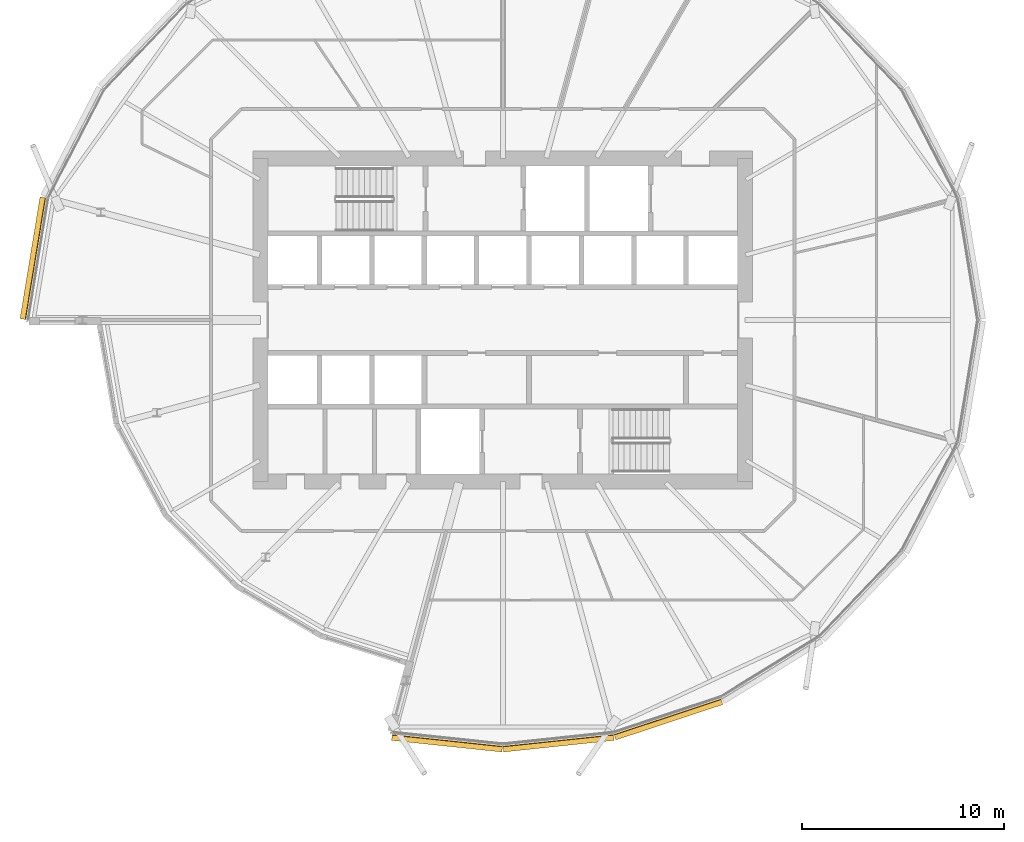
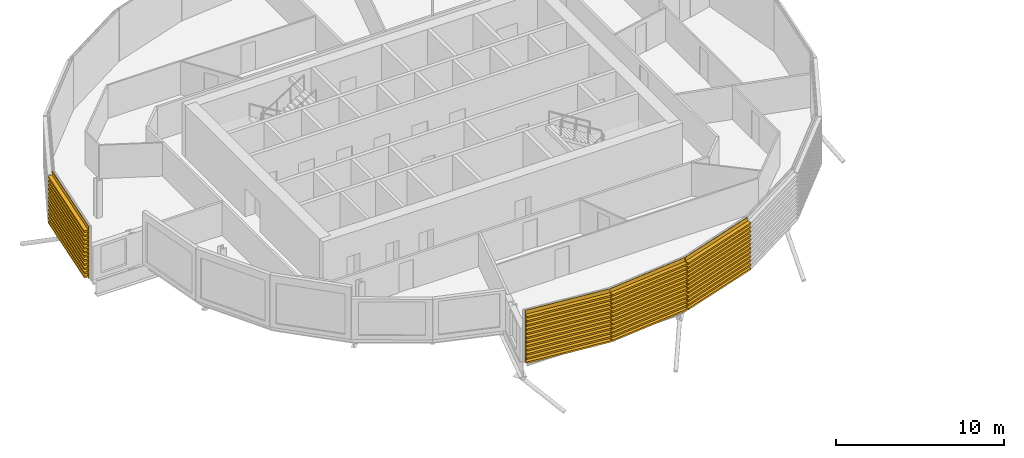
# One storey, part 34 of 39: 4 coverings.
"""IFC4 building model written with IfcOpenShell, lengths in metres."""

from ifc_helpers import new_model, si_unit, direction, frame, origin, place, context, subcontext, project, spatial, polyline, outline, extrude, material, material_profile, profile_set, type_object, element, save


model = new_model("IFC4")

# Units and contexts
model_context = context("Model", 3, precision=1e-05, world=origin(), true_north=direction((0.0, 1.0)))
body_context = subcontext(model_context, "Body", "Model", "MODEL_VIEW")
ifc_project = project(units=[si_unit("LENGTHUNIT", "METRE"), si_unit("AREAUNIT", "SQUARE_METRE"), si_unit("VOLUMEUNIT", "CUBIC_METRE"), si_unit("PLANEANGLEUNIT", "RADIAN"), si_unit("MASSUNIT", "GRAM", prefix="KILO")], contexts=[model_context])

# Site, building, storey
site_placement = place(None, origin())
site = spatial("IfcSite", under=ifc_project, at=site_placement, CompositionType="ELEMENT")
building_placement = place(site_placement, origin())
building = spatial("IfcBuilding", under=site, at=building_placement, Name="Rimbun Link Towers", CompositionType="ELEMENT")
storey_placement = place(building_placement, frame((0.0, 0.0, 100.60009765625)))
storey = spatial("IfcBuildingStorey", under=building, at=storey_placement, Name="L24", CompositionType="ELEMENT", Elevation=100.60009765625)

# Coverings
ifc_material = material(Name="Terracotta", Category="masonry")
ifc_material_profile = material_profile(ifc_material, outline(polyline([(0.123046875, 0.0), (0.1630859375, 0.0), (0.1630859375, 0.10009765625), (0.423095703125, 0.10009765625), (0.423095703125, 0.219970703125), (0.1630859375, 0.219970703125), (0.1630859375, 0.39990234375), (0.423095703125, 0.39990234375), (0.423095703125, 0.52001953125), (0.1630859375, 0.52001953125), (0.1630859375, 0.699951171875), (0.423095703125, 0.699951171875), (0.423095703125, 0.820068359375), (0.1630859375, 0.820068359375), (0.1630859375, 1.0), (0.423095703125, 1.0), (0.423095703125, 1.1201171875), (0.1630859375, 1.1201171875), (0.1630859375, 1.300048828125), (0.423095703125, 1.300048828125), (0.423095703125, 1.419921875), (0.1630859375, 1.419921875), (0.1630859375, 1.60009765625), (0.423095703125, 1.60009765625), (0.423095703125, 1.719970703125), (0.1630859375, 1.719970703125), (0.1630859375, 1.89990234375), (0.423095703125, 1.89990234375), (0.423095703125, 2.02001953125), (0.1630859375, 2.02001953125), (0.1630859375, 2.199951171875), (0.423095703125, 2.199951171875), (0.423095703125, 2.320068359375), (0.1630859375, 2.320068359375), (0.1630859375, 2.5), (0.423095703125, 2.5), (0.423095703125, 2.6201171875), (0.1630859375, 2.6201171875), (0.1630859375, 2.800048828125), (0.423095703125, 2.800048828125), (0.423095703125, 2.919921875), (0.1630859375, 2.919921875), (0.1630859375, 3.10009765625), (0.423095703125, 3.10009765625), (0.423095703125, 3.219970703125), (0.1630859375, 3.219970703125), (0.1630859375, 3.39990234375), (0.423095703125, 3.39990234375), (0.423095703125, 3.52001953125), (0.1630859375, 3.52001953125), (0.1630859375, 3.800048828125), (0.123046875, 3.800048828125), (0.123046875, 0.0)])), Name="BAGUETTE 120X300")
ifc_profile_set = profile_set([ifc_material_profile], Name="Terracotta")
covering_type = type_object("IfcCoveringType", Name="TERRACOTTA BAGUETTE 120X300 H3800", PredefinedType="CLADDING", material=ifc_profile_set)
covering_1_placement = place(storey_placement, frame((-55.244384765625, 0.0, 0.0), z_axis=(0.162292931739, 0.986742623133, 0.0), x_axis=(-0.986742623133, 0.162292931739, 0.0)))
element("IfcCovering", 1, at=covering_1_placement, inside=storey, type_object=covering_type, Name="TERRACOTTA BAGUETTE", PredefinedType="CLADDING", context=body_context, shape_type="SweptSolid", body=[
    extrude(outline(polyline([(0.123046875, 0.0), (0.1630859375, 0.0), (0.1630859375, 0.10009765625), (0.423095703125, 0.10009765625), (0.423095703125, 0.219970703125), (0.1630859375, 0.219970703125), (0.1630859375, 0.39990234375), (0.423095703125, 0.39990234375), (0.423095703125, 0.52001953125), (0.1630859375, 0.52001953125), (0.1630859375, 0.699951171875), (0.423095703125, 0.699951171875), (0.423095703125, 0.820068359375), (0.1630859375, 0.820068359375), (0.1630859375, 1.0), (0.423095703125, 1.0), (0.423095703125, 1.1201171875), (0.1630859375, 1.1201171875), (0.1630859375, 1.300048828125), (0.423095703125, 1.300048828125), (0.423095703125, 1.419921875), (0.1630859375, 1.419921875), (0.1630859375, 1.60009765625), (0.423095703125, 1.60009765625), (0.423095703125, 1.719970703125), (0.1630859375, 1.719970703125), (0.1630859375, 1.89990234375), (0.423095703125, 1.89990234375), (0.423095703125, 2.02001953125), (0.1630859375, 2.02001953125), (0.1630859375, 2.199951171875), (0.423095703125, 2.199951171875), (0.423095703125, 2.320068359375), (0.1630859375, 2.320068359375), (0.1630859375, 2.5), (0.423095703125, 2.5), (0.423095703125, 2.6201171875), (0.1630859375, 2.6201171875), (0.1630859375, 2.800048828125), (0.423095703125, 2.800048828125), (0.423095703125, 2.919921875), (0.1630859375, 2.919921875), (0.1630859375, 3.10009765625), (0.423095703125, 3.10009765625), (0.423095703125, 3.219970703125), (0.1630859375, 3.219970703125), (0.1630859375, 3.39990234375), (0.423095703125, 3.39990234375), (0.423095703125, 3.52001953125), (0.1630859375, 3.52001953125), (0.1630859375, 3.800048828125), (0.123046875, 3.800048828125), (0.123046875, 0.0)])), origin(), (0.0, 0.0, 1.0), 6.110595703125),
])
for number, where, z_axis, x_axis, name in (
    (2, (-31.75, -20.97705078125, 0.0), (-0.994500584428, 0.10473102488, 0.0), (-0.10473102488, -0.994500584428, 0.0), "TERRACOTTA BAGUETTE"),
    (3, (-26.283447265625, -20.4013671875, 0.0), (-0.994500584428, -0.10473102488, 0.0), (0.10473102488, -0.994500584428, 0.0), "TERRACOTTA BAGUETTE"),
):
    element("IfcCovering", number, at=place(storey_placement, frame(where, z_axis=z_axis, x_axis=x_axis)), inside=storey, type_object=covering_type, Name=name, PredefinedType="CLADDING", context=body_context, shape_type="SweptSolid", body=[
        extrude(outline(polyline([(0.123046875, 0.0), (0.1630859375, 0.0), (0.1630859375, 0.10009765625), (0.423095703125, 0.10009765625), (0.423095703125, 0.219970703125), (0.1630859375, 0.219970703125), (0.1630859375, 0.39990234375), (0.423095703125, 0.39990234375), (0.423095703125, 0.52001953125), (0.1630859375, 0.52001953125), (0.1630859375, 0.699951171875), (0.423095703125, 0.699951171875), (0.423095703125, 0.820068359375), (0.1630859375, 0.820068359375), (0.1630859375, 1.0), (0.423095703125, 1.0), (0.423095703125, 1.1201171875), (0.1630859375, 1.1201171875), (0.1630859375, 1.300048828125), (0.423095703125, 1.300048828125), (0.423095703125, 1.419921875), (0.1630859375, 1.419921875), (0.1630859375, 1.60009765625), (0.423095703125, 1.60009765625), (0.423095703125, 1.719970703125), (0.1630859375, 1.719970703125), (0.1630859375, 1.89990234375), (0.423095703125, 1.89990234375), (0.423095703125, 2.02001953125), (0.1630859375, 2.02001953125), (0.1630859375, 2.199951171875), (0.423095703125, 2.199951171875), (0.423095703125, 2.320068359375), (0.1630859375, 2.320068359375), (0.1630859375, 2.5), (0.423095703125, 2.5), (0.423095703125, 2.6201171875), (0.1630859375, 2.6201171875), (0.1630859375, 2.800048828125), (0.423095703125, 2.800048828125), (0.423095703125, 2.919921875), (0.1630859375, 2.919921875), (0.1630859375, 3.10009765625), (0.423095703125, 3.10009765625), (0.423095703125, 3.219970703125), (0.1630859375, 3.219970703125), (0.1630859375, 3.39990234375), (0.423095703125, 3.39990234375), (0.423095703125, 3.52001953125), (0.1630859375, 3.52001953125), (0.1630859375, 3.800048828125), (0.123046875, 3.800048828125), (0.123046875, 0.0)])), origin(), (0.0, 0.0, 1.0), 5.496826171875),
    ])
covering_2_placement = place(storey_placement, frame((-20.985107421875, -18.6455078125, 0.0), z_axis=(-0.949232974072, -0.31457393556, 0.0), x_axis=(0.31457393556, -0.949232974072, 0.0)))
element("IfcCovering", 4, at=covering_2_placement, inside=storey, type_object=covering_type, Name="TERRACOTTA BAGUETTE", PredefinedType="CLADDING", context=body_context, shape_type="SweptSolid", body=[
    extrude(outline(polyline([(0.123046875, 0.0), (0.1630859375, 0.0), (0.1630859375, 0.10009765625), (0.423095703125, 0.10009765625), (0.423095703125, 0.219970703125), (0.1630859375, 0.219970703125), (0.1630859375, 0.39990234375), (0.423095703125, 0.39990234375), (0.423095703125, 0.52001953125), (0.1630859375, 0.52001953125), (0.1630859375, 0.699951171875), (0.423095703125, 0.699951171875), (0.423095703125, 0.820068359375), (0.1630859375, 0.820068359375), (0.1630859375, 1.0), (0.423095703125, 1.0), (0.423095703125, 1.1201171875), (0.1630859375, 1.1201171875), (0.1630859375, 1.300048828125), (0.423095703125, 1.300048828125), (0.423095703125, 1.419921875), (0.1630859375, 1.419921875), (0.1630859375, 1.60009765625), (0.423095703125, 1.60009765625), (0.423095703125, 1.719970703125), (0.1630859375, 1.719970703125), (0.1630859375, 1.89990234375), (0.423095703125, 1.89990234375), (0.423095703125, 2.02001953125), (0.1630859375, 2.02001953125), (0.1630859375, 2.199951171875), (0.423095703125, 2.199951171875), (0.423095703125, 2.320068359375), (0.1630859375, 2.320068359375), (0.1630859375, 2.5), (0.423095703125, 2.5), (0.423095703125, 2.6201171875), (0.1630859375, 2.6201171875), (0.1630859375, 2.800048828125), (0.423095703125, 2.800048828125), (0.423095703125, 2.919921875), (0.1630859375, 2.919921875), (0.1630859375, 3.10009765625), (0.423095703125, 3.10009765625), (0.423095703125, 3.219970703125), (0.1630859375, 3.219970703125), (0.1630859375, 3.39990234375), (0.423095703125, 3.39990234375), (0.423095703125, 3.52001953125), (0.1630859375, 3.52001953125), (0.1630859375, 3.800048828125), (0.123046875, 3.800048828125), (0.123046875, 0.0)])), origin(), (0.0, 0.0, 1.0), 5.581787109375),
])

save(model, "model.ifc")
